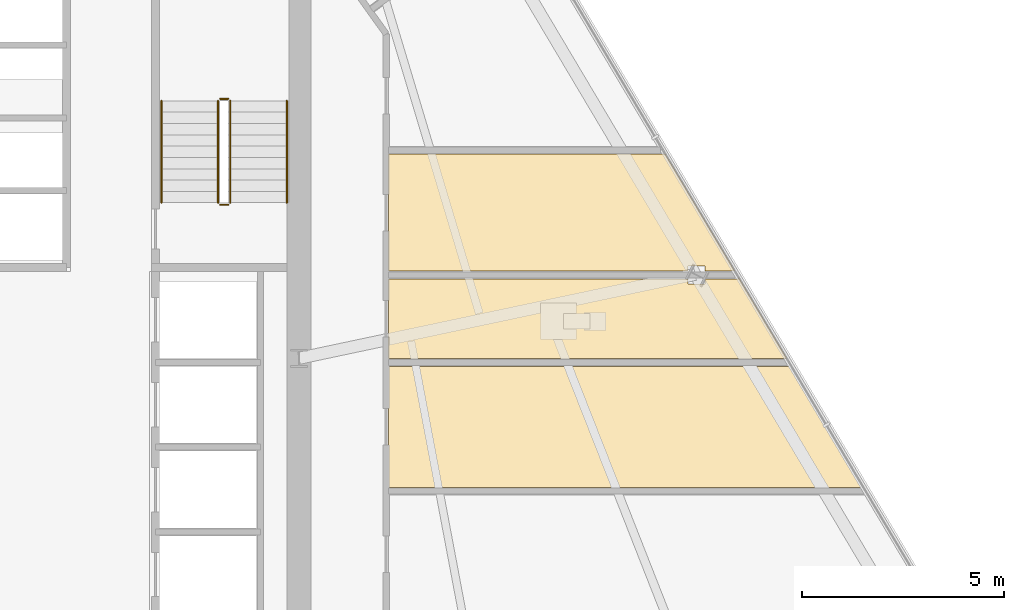
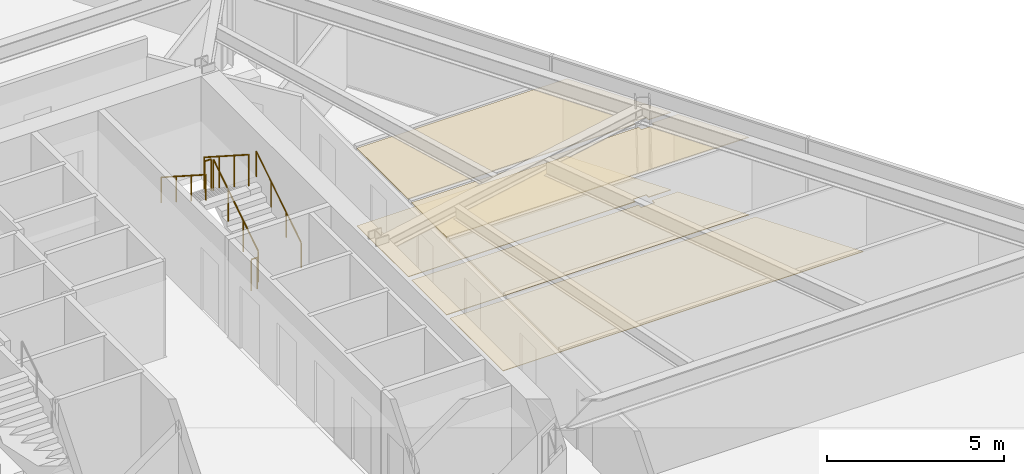
# One storey, part 14 of 16: 6 railings, 5 coverings.
"""IFC4 building model written with IfcOpenShell, lengths in metres."""

from ifc_helpers import new_model, si_unit, direction, frame, origin, origin_2d, place, context, subcontext, project, spatial, polyline, circle, outline, extrude, material, layer, layer_set, type_object, element, save


model = new_model("IFC4")

# Units and contexts
model_context = context("Model", 3, precision=1e-05, world=origin(), true_north=direction((0.0, 1.0)))
body_context = subcontext(model_context, "Body", "Model", "MODEL_VIEW")
ifc_project = project(units=[si_unit("LENGTHUNIT", "METRE"), si_unit("AREAUNIT", "SQUARE_METRE"), si_unit("VOLUMEUNIT", "CUBIC_METRE"), si_unit("PLANEANGLEUNIT", "RADIAN"), si_unit("MASSUNIT", "GRAM", prefix="KILO")], contexts=[model_context])

# Site, building, storey
site_placement = place(None, origin())
site = spatial("IfcSite", under=ifc_project, at=site_placement, CompositionType="ELEMENT")
building_placement = place(site_placement, origin())
building = spatial("IfcBuilding", under=site, at=building_placement, Name="Savorim Split Tower", CompositionType="ELEMENT")
storey_placement = place(building_placement, frame((0.0, 0.0, 51.60009765625)))
storey = spatial("IfcBuildingStorey", under=building, at=storey_placement, Name="L13", CompositionType="ELEMENT", Elevation=51.60009765625)

# Coverings
ifc_material_1 = material(Name="Mineral Fibre Acoustic Ceiling")
ifc_layer_1 = layer(ifc_material_1, 0.02490234375)
ifc_layer_set_1 = layer_set([ifc_layer_1], Name="COV-CEIL-25")
covering_type_1 = type_object("IfcCoveringType", Name="COV-CEIL-25", PredefinedType="CEILING", material=ifc_layer_set_1)
covering_1_placement = place(storey_placement, frame((0.0, 0.0, 2.669921875)))
element("IfcCovering", 1, at=covering_1_placement, inside=storey, type_object=covering_type_1, Name="L13 Shared Bathroom Acoustic Ceiling", PredefinedType="CEILING", context=body_context, shape_type="SweptSolid", body=[
    extrude(outline(polyline([(17.322265625, 2.232666015625), (17.322265625, 2.365234375), (9.919921875, 2.365234375), (9.919921875, 0.392578125), (19.774169921875, 0.392578125), (18.58154296875, 2.398193359375), (18.58154296875, 2.365234375), (17.754150390625, 2.365234375), (17.754150390625, 2.232666015625), (17.322265625, 2.232666015625)])), origin(), (0.0, 0.0, 1.0), 0.02490234375),
])
covering_2_placement = place(storey_placement, frame((0.0, 0.0, 2.669921875)))
element("IfcCovering", 2, at=covering_2_placement, inside=storey, type_object=covering_type_1, Name="L13 Maker Workshop Acoustic Ceiling", PredefinedType="CEILING", context=body_context, shape_type="SweptSolid", body=[
    extrude(outline(polyline([(17.754150390625, 2.687744140625), (17.754150390625, 2.55517578125), (18.486572265625, 2.55517578125), (18.48828125, 2.55517578125), (16.764892578125, 5.45361328125), (9.919921875, 5.45361328125), (9.919921875, 2.55517578125), (17.322265625, 2.55517578125), (17.322265625, 2.687744140625), (17.754150390625, 2.687744140625)])), origin(), (0.0, 0.0, 1.0), 0.02490234375),
])
ifc_material_2 = material(Name="Porcelain Stoneware Flooring", Category="masonry")
ifc_layer_2 = layer(ifc_material_2, 0.02001953125)
ifc_layer_set_2 = layer_set([ifc_layer_2], Name="COV-FLOR-20")
covering_type_2 = type_object("IfcCoveringType", Name="COV-FLOR-20", PredefinedType="FLOORING", material=ifc_layer_set_2)
covering_3_placement = place(storey_placement, origin())
element("IfcCovering", 3, at=covering_3_placement, inside=storey, type_object=covering_type_2, Name="L13 Quiet Study Room Porcelain Flooring", PredefinedType="FLOORING", context=body_context, shape_type="SweptSolid", body=[
    extrude(outline(polyline([(21.6689453125, -2.793701171875), (19.88720703125, 0.20263671875), (9.919921875, 0.20263671875), (9.919921875, -2.793701171875), (21.6689453125, -2.793701171875)])), origin(), (0.0, 0.0, 1.0), 0.02001953125),
])
covering_4_placement = place(storey_placement, origin())
element("IfcCovering", 4, at=covering_4_placement, inside=storey, type_object=covering_type_2, Name="L13 Shared Bathroom Porcelain Flooring", PredefinedType="FLOORING", context=body_context, shape_type="SweptSolid", body=[
    extrude(outline(polyline([(17.322265625, 2.232666015625), (17.322265625, 2.365234375), (9.919921875, 2.365234375), (9.919921875, 0.392578125), (19.774169921875, 0.392578125), (18.58154296875, 2.398193359375), (18.58154296875, 2.365234375), (17.754150390625, 2.365234375), (17.754150390625, 2.232666015625), (17.322265625, 2.232666015625)])), origin(), (0.0, 0.0, 1.0), 0.02001953125),
])
covering_5_placement = place(storey_placement, origin())
element("IfcCovering", 5, at=covering_5_placement, inside=storey, type_object=covering_type_2, Name="L13 Maker Workshop Porcelain Flooring", PredefinedType="FLOORING", context=body_context, shape_type="SweptSolid", body=[
    extrude(outline(polyline([(17.754150390625, 2.687744140625), (17.754150390625, 2.55517578125), (18.486572265625, 2.55517578125), (18.48828125, 2.55517578125), (16.764892578125, 5.45361328125), (9.919921875, 5.45361328125), (9.919921875, 2.55517578125), (17.322265625, 2.55517578125), (17.322265625, 2.687744140625), (17.754150390625, 2.687744140625)])), origin(), (0.0, 0.0, 1.0), 0.02001953125),
])

# Railings
ifc_material_3 = material(Name="Galvanised Painted Steel Balustrade", Category="steel")
railing_type_1 = type_object("IfcRailingType", Name="RLG-HR-900", PredefinedType="HANDRAIL", material=ifc_material_3)
railing_1_placement = place(storey_placement, frame((7.39990234375, 4.25, 0.179931640625)))
element("IfcRailing", 6, at=railing_1_placement, inside=storey, type_object=railing_type_1, Name="L13 ST-2 stair handrail 1", PredefinedType="HANDRAIL", context=body_context, shape_type="SweptSolid", body=[
    extrude(circle(Radius=0.02392578125, at=origin_2d()), frame((0.0, 0.0, 0.8759765625), z_axis=(0.0, 0.841199657755, 0.540724639528), x_axis=(-1.0, 0.0, 0.0)), (0.0, 0.0, 1.0), 2.995849609375),
    extrude(circle(Radius=0.02099609375, at=origin_2d()), origin(), (0.0, 0.0, 1.0), 0.851806640625),
    extrude(circle(Radius=0.02099609375, at=origin_2d()), frame((0.0, 0.840087890625, 0.5400390625)), (0.0, 0.0, 1.0), 0.851806640625),
    extrude(circle(Radius=0.02099609375, at=origin_2d()), frame((0.0, 1.679931640625, 1.079833984375)), (0.0, 0.0, 1.0), 0.851806640625),
    extrude(circle(Radius=0.02099609375, at=origin_2d()), frame((0.0, 2.52001953125, 1.619873046875)), (0.0, 0.0, 1.0), 0.851806640625),
])
railing_2_placement = place(storey_placement, frame((4.300048828125, 6.77001953125, 1.97998046875)))
element("IfcRailing", 7, at=railing_2_placement, inside=storey, type_object=railing_type_1, Name="L13 ST-2 stair handrail 2", PredefinedType="HANDRAIL", context=body_context, shape_type="SweptSolid", body=[
    extrude(circle(Radius=0.02392578125, at=origin_2d()), frame((0.0, 0.0, 0.8759765625), z_axis=(0.0, -0.841199657755, 0.540724639528), x_axis=(1.0, 0.0, 0.0)), (0.0, 0.0, 1.0), 2.995849609375),
    extrude(circle(Radius=0.02099609375, at=origin_2d()), origin(), (0.0, 0.0, 1.0), 0.851806640625),
    extrude(circle(Radius=0.02099609375, at=origin_2d()), frame((0.0, -0.840087890625, 0.5400390625)), (0.0, 0.0, 1.0), 0.851806640625),
    extrude(circle(Radius=0.02099609375, at=origin_2d()), frame((0.0, -1.679931640625, 1.079833984375)), (0.0, 0.0, 1.0), 0.851806640625),
    extrude(circle(Radius=0.02099609375, at=origin_2d()), frame((0.0, -2.52001953125, 1.619873046875)), (0.0, 0.0, 1.0), 0.851806640625),
])
railing_type_2 = type_object("IfcRailingType", Name="RLG-STG-1100", PredefinedType="BALUSTRADE", material=ifc_material_3)
railing_3_placement = place(storey_placement, frame((6.0, 4.25, 0.179931640625)))
element("IfcRailing", 8, at=railing_3_placement, inside=storey, type_object=railing_type_2, Name="L13 ST-2 stair guard 1", PredefinedType="BALUSTRADE", context=body_context, shape_type="SweptSolid", body=[
    extrude(circle(Radius=0.02392578125, at=origin_2d()), frame((0.0, 0.0, 1.076171875), z_axis=(0.0, 0.841199657755, 0.540724639528), x_axis=(-1.0, 0.0, 0.0)), (0.0, 0.0, 1.0), 2.995849609375),
    extrude(circle(Radius=0.02099609375, at=origin_2d()), origin(), (0.0, 0.0, 1.0), 1.052001953125),
    extrude(circle(Radius=0.02099609375, at=origin_2d()), frame((0.0, 0.840087890625, 0.5400390625)), (0.0, 0.0, 1.0), 1.052001953125),
    extrude(circle(Radius=0.02099609375, at=origin_2d()), frame((0.0, 1.679931640625, 1.079833984375)), (0.0, 0.0, 1.0), 1.052001953125),
    extrude(circle(Radius=0.02099609375, at=origin_2d()), frame((0.0, 2.52001953125, 1.619873046875)), (0.0, 0.0, 1.0), 1.052001953125),
])
railing_4_placement = place(storey_placement, frame((5.949951171875, 6.820068359375, 1.7998046875)))
element("IfcRailing", 9, at=railing_4_placement, inside=storey, type_object=railing_type_2, Name="L13 ST-2 stair guard 2", PredefinedType="BALUSTRADE", context=body_context, shape_type="SweptSolid", body=[
    extrude(circle(Radius=0.02392578125, at=origin_2d()), frame((0.0, 0.0, 1.076171875), z_axis=(-1.0, 0.0, 0.0), x_axis=(0.0, -1.0, 0.0)), (0.0, 0.0, 1.0), 0.199951171875),
    extrude(circle(Radius=0.02099609375, at=origin_2d()), origin(), (0.0, 0.0, 1.0), 1.052001953125),
    extrude(circle(Radius=0.02099609375, at=origin_2d()), frame((-0.199951171875, 0.0, 0.0)), (0.0, 0.0, 1.0), 1.052001953125),
])
railing_5_placement = place(storey_placement, frame((5.699951171875, 6.77001953125, 1.97998046875)))
element("IfcRailing", 10, at=railing_5_placement, inside=storey, type_object=railing_type_2, Name="L13 ST-2 stair guard 3", PredefinedType="BALUSTRADE", context=body_context, shape_type="SweptSolid", body=[
    extrude(circle(Radius=0.02392578125, at=origin_2d()), frame((0.0, 0.0, 1.076171875), z_axis=(0.0, -0.841199657755, 0.540724639528), x_axis=(1.0, 0.0, 0.0)), (0.0, 0.0, 1.0), 2.995849609375),
    extrude(circle(Radius=0.02099609375, at=origin_2d()), origin(), (0.0, 0.0, 1.0), 1.052001953125),
    extrude(circle(Radius=0.02099609375, at=origin_2d()), frame((0.0, -0.840087890625, 0.5400390625)), (0.0, 0.0, 1.0), 1.052001953125),
    extrude(circle(Radius=0.02099609375, at=origin_2d()), frame((0.0, -1.679931640625, 1.079833984375)), (0.0, 0.0, 1.0), 1.052001953125),
    extrude(circle(Radius=0.02099609375, at=origin_2d()), frame((0.0, -2.52001953125, 1.619873046875)), (0.0, 0.0, 1.0), 1.052001953125),
])
railing_6_placement = place(storey_placement, frame((5.949951171875, 4.199951171875, 0.0)))
element("IfcRailing", 11, at=railing_6_placement, inside=storey, type_object=railing_type_2, Name="L13 ST-2 stair guard 4", PredefinedType="BALUSTRADE", context=body_context, shape_type="SweptSolid", body=[
    extrude(circle(Radius=0.02392578125, at=origin_2d()), frame((0.0, 0.0, 1.076171875), z_axis=(-1.0, 0.0, 0.0), x_axis=(0.0, -1.0, 0.0)), (0.0, 0.0, 1.0), 0.199951171875),
    extrude(circle(Radius=0.02099609375, at=origin_2d()), origin(), (0.0, 0.0, 1.0), 1.052001953125),
    extrude(circle(Radius=0.02099609375, at=origin_2d()), frame((-0.199951171875, 0.0, 0.0)), (0.0, 0.0, 1.0), 1.052001953125),
])

save(model, "model.ifc")
